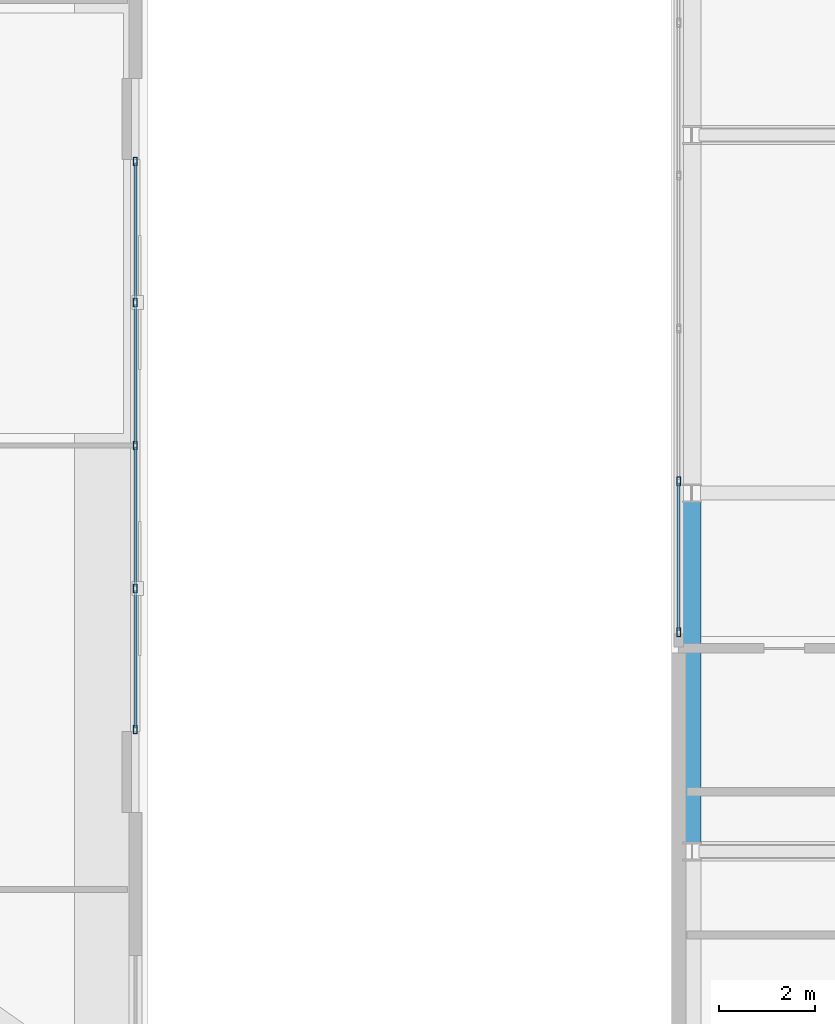
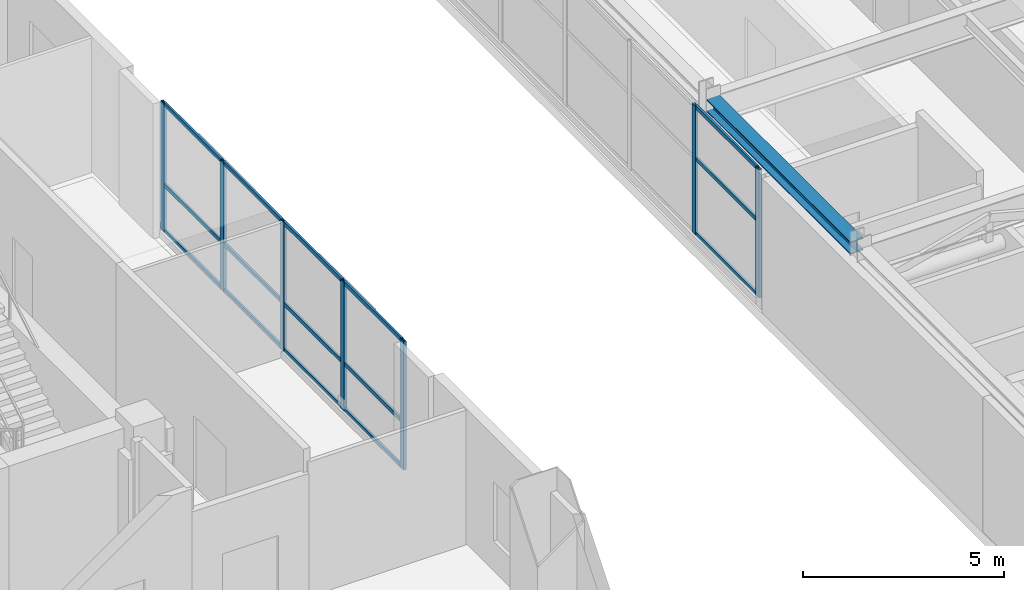
# One storey, part 7 of 29: 22 members, 1 beam, 2 elements without a shape of their own.
"""IFC4 building model written with IfcOpenShell, lengths in metres."""

from ifc_helpers import new_model, si_unit, direction, frame, origin, origin_2d, place, context, subcontext, project, spatial, hollow_rectangle, i_section, extrude, material, layer, layer_set, material_profile, profile_set, type_object, element, aggregate, save


model = new_model("IFC4")

# Units and contexts
model_context = context("Model", 3, precision=1e-05, world=origin(), true_north=direction((0.0, 1.0)))
body_context = subcontext(model_context, "Body", "Model", "MODEL_VIEW")
ifc_project = project(units=[si_unit("LENGTHUNIT", "METRE"), si_unit("AREAUNIT", "SQUARE_METRE"), si_unit("VOLUMEUNIT", "CUBIC_METRE"), si_unit("PLANEANGLEUNIT", "RADIAN"), si_unit("MASSUNIT", "GRAM", prefix="KILO")], contexts=[model_context])

# Site, building, storey
site_placement = place(None, origin())
site = spatial("IfcSite", under=ifc_project, at=site_placement, CompositionType="ELEMENT")
building_placement = place(site_placement, origin())
building = spatial("IfcBuilding", under=site, at=building_placement, Name="Mersakhor Tower and Convention Hall", CompositionType="ELEMENT")
storey_placement = place(building_placement, frame((0.0, 0.0, 9.60009765625)))
storey = spatial("IfcBuildingStorey", under=building, at=storey_placement, Name="L02", CompositionType="ELEMENT", Elevation=9.60009765625)

# Beam
ifc_material_1 = material(Name="Steel S355", Category="steel")
ifc_material_profile_1 = material_profile(ifc_material_1, i_section(OverallWidth=0.374755859375, OverallDepth=0.37451171875, WebThickness=0.0166015625, FlangeThickness=0.027099609375, at=origin_2d()), Name="UC 356x368x202")
ifc_profile_set_1 = profile_set([ifc_material_profile_1], Name="Steel S355")
beam_type = type_object("IfcBeamType", Name="BM-SPD-UC356", PredefinedType="SPANDREL", material=ifc_profile_set_1)
beam_placement = place(storey_placement, frame((55.5, 18.429931640625, 4.29296875), z_axis=(0.0, 1.0, 0.0), x_axis=(-1.0, 0.0, 0.0)))
element("IfcBeam", 1, at=beam_placement, inside=storey, type_object=beam_type, Name="Convention L02 Edge Spandrel W3", PredefinedType="SPANDREL", context=body_context, shape_type="SweptSolid", body=[
    extrude(i_section(OverallWidth=0.374755859375, OverallDepth=0.37451171875, WebThickness=0.0166015625, FlangeThickness=0.027099609375, at=origin_2d()), origin(), (0.0, 0.0, 1.0), 7.14013671875),
])

# Curtain wall, members
ifc_material_2 = material(Name="Dark solar low-E aluminium curtain wall", Category="aluminium")
ifc_layer_1 = layer(ifc_material_2, 0.219970703125)
ifc_layer_set_1 = layer_set([ifc_layer_1], Name="Dark solar low-E aluminium curtain wall")
curtain_wall_type_1 = type_object("IfcCurtainWallType", Name="CW-SYS-07", PredefinedType="USERDEFINED", material=ifc_layer_set_1)
curtain_wall_1_placement = place(storey_placement, origin())
curtain_wall_1 = element("IfcCurtainWall", 2, at=curtain_wall_1_placement, inside=storey, type_object=curtain_wall_type_1, Name="Convention L02 West Curtain Wall", ObjectType="CURTAIN WALL", PredefinedType="USERDEFINED")
ifc_material_3 = material(Name="Anodised aluminium EN AW-6063 T6", Category="aluminium")
ifc_material_profile_2 = material_profile(ifc_material_3, hollow_rectangle(XDim=0.080078125, YDim=0.179931640625, WallThickness=0.008056640625, at=origin_2d()), Name="RHS 180x80x8")
ifc_profile_set_2 = profile_set([ifc_material_profile_2], Name="Anodised aluminium EN AW-6063 T6")
member_type_1 = type_object("IfcMemberType", Name="CWM-180x80", PredefinedType="MULLION", material=ifc_profile_set_2)
member_1_placement = place(storey_placement, frame((55.22509765625, 22.840087890625, 0.199951171875), z_axis=(0.0, 0.0, 1.0), x_axis=(-1.0, 0.0, 0.0)))
member_1 = element("IfcMember", 3, at=member_1_placement, type_object=member_type_1, Name="CW-07 mullion 1", PredefinedType="MULLION", context=body_context, shape_type="SweptSolid", body=[
    extrude(hollow_rectangle(XDim=0.080078125, YDim=0.179931640625, WallThickness=0.008056640625, at=origin_2d()), origin(), (0.0, 0.0, 1.0), 3.89990234375),
])
member_2_placement = place(storey_placement, frame((55.22509765625, 26.0, 0.199951171875), z_axis=(0.0, 0.0, 1.0), x_axis=(-1.0, 0.0, 0.0)))
member_2 = element("IfcMember", 4, at=member_2_placement, type_object=member_type_1, Name="CW-07 mullion 2", PredefinedType="MULLION", context=body_context, shape_type="SweptSolid", body=[
    extrude(hollow_rectangle(XDim=0.080078125, YDim=0.179931640625, WallThickness=0.008056640625, at=origin_2d()), origin(), (0.0, 0.0, 1.0), 3.89990234375),
])

ifc_material_4 = material(Name="Dark solar low-E aluminium curtain wall", Category="aluminium")
ifc_layer_2 = layer(ifc_material_4, 0.18994140625)
ifc_layer_set_2 = layer_set([ifc_layer_2], Name="Dark solar low-E aluminium curtain wall")
curtain_wall_type_2 = type_object("IfcCurtainWallType", Name="CW-SYS-04", PredefinedType="USERDEFINED", material=ifc_layer_set_2)
curtain_wall_2_placement = place(storey_placement, origin())
curtain_wall_2 = element("IfcCurtainWall", 5, at=curtain_wall_2_placement, inside=storey, type_object=curtain_wall_type_2, Name="L02 Dark-Glass Curtain Wall F2-B2", ObjectType="CURTAIN WALL", PredefinedType="USERDEFINED")
member_3_placement = place(storey_placement, frame((43.85009765625, 32.696533203125, 0.199951171875), z_axis=(0.0, 0.0, 1.0), x_axis=(1.0, 0.0, 0.0)))
member_3 = element("IfcMember", 6, at=member_3_placement, type_object=member_type_1, Name="CW-04 mullion 1", PredefinedType="MULLION", context=body_context, shape_type="SweptSolid", body=[
    extrude(hollow_rectangle(XDim=0.080078125, YDim=0.179931640625, WallThickness=0.008056640625, at=origin_2d()), origin(), (0.0, 0.0, 1.0), 3.89990234375),
])
member_4_placement = place(storey_placement, frame((43.85009765625, 29.743408203125, 0.199951171875), z_axis=(0.0, 0.0, 1.0), x_axis=(1.0, 0.0, 0.0)))
member_4 = element("IfcMember", 7, at=member_4_placement, type_object=member_type_1, Name="CW-04 mullion 2", PredefinedType="MULLION", context=body_context, shape_type="SweptSolid", body=[
    extrude(hollow_rectangle(XDim=0.080078125, YDim=0.179931640625, WallThickness=0.008056640625, at=origin_2d()), origin(), (0.0, 0.0, 1.0), 3.89990234375),
])
member_5_placement = place(storey_placement, frame((43.85009765625, 26.75, 0.199951171875), z_axis=(0.0, 0.0, 1.0), x_axis=(1.0, 0.0, 0.0)))
member_5 = element("IfcMember", 8, at=member_5_placement, type_object=member_type_1, Name="CW-04 mullion 3", PredefinedType="MULLION", context=body_context, shape_type="SweptSolid", body=[
    extrude(hollow_rectangle(XDim=0.080078125, YDim=0.179931640625, WallThickness=0.008056640625, at=origin_2d()), origin(), (0.0, 0.0, 1.0), 3.89990234375),
])
member_6_placement = place(storey_placement, frame((43.85009765625, 23.756591796875, 0.199951171875), z_axis=(0.0, 0.0, 1.0), x_axis=(1.0, 0.0, 0.0)))
member_6 = element("IfcMember", 9, at=member_6_placement, type_object=member_type_1, Name="CW-04 mullion 4", PredefinedType="MULLION", context=body_context, shape_type="SweptSolid", body=[
    extrude(hollow_rectangle(XDim=0.080078125, YDim=0.179931640625, WallThickness=0.008056640625, at=origin_2d()), origin(), (0.0, 0.0, 1.0), 3.89990234375),
])
member_7_placement = place(storey_placement, frame((43.85009765625, 20.803466796875, 0.199951171875), z_axis=(0.0, 0.0, 1.0), x_axis=(1.0, 0.0, 0.0)))
member_7 = element("IfcMember", 10, at=member_7_placement, type_object=member_type_1, Name="CW-04 mullion 5", PredefinedType="MULLION", context=body_context, shape_type="SweptSolid", body=[
    extrude(hollow_rectangle(XDim=0.080078125, YDim=0.179931640625, WallThickness=0.008056640625, at=origin_2d()), origin(), (0.0, 0.0, 1.0), 3.89990234375),
])

# Member
ifc_material_5 = material(Name="Anodised aluminium EN AW-6063 T6", Category="aluminium")
ifc_material_profile_3 = material_profile(ifc_material_5, hollow_rectangle(XDim=0.06005859375, YDim=0.1201171875, WallThickness=0.0048828125, at=origin_2d()), Name="RHS 120x60x5")
ifc_profile_set_3 = profile_set([ifc_material_profile_3], Name="Anodised aluminium EN AW-6063 T6")
member_type_2 = type_object("IfcMemberType", Name="CWT-120x60", PredefinedType="USERDEFINED", material=ifc_profile_set_3)
member_8_placement = place(storey_placement, frame((55.22509765625, 22.8798828125, 0.22998046875), z_axis=(0.0, 1.0, 0.0), x_axis=(-1.0, 0.0, 0.0)))
member_8 = element("IfcMember", 11, at=member_8_placement, type_object=member_type_2, Name="CW-07 transom 1.1", ObjectType="TRANSOM", PredefinedType="USERDEFINED", context=body_context, shape_type="SweptSolid", body=[
    extrude(hollow_rectangle(XDim=0.06005859375, YDim=0.1201171875, WallThickness=0.0048828125, at=origin_2d()), origin(), (0.0, 0.0, 1.0), 3.080078125),
])

member_9_placement = place(storey_placement, frame((55.22509765625, 22.8798828125, 2.5), z_axis=(0.0, 1.0, 0.0), x_axis=(-1.0, 0.0, 0.0)))
member_9 = element("IfcMember", 12, at=member_9_placement, type_object=member_type_2, Name="CW-07 transom 1.2", ObjectType="TRANSOM", PredefinedType="USERDEFINED", context=body_context, shape_type="SweptSolid", body=[
    extrude(hollow_rectangle(XDim=0.06005859375, YDim=0.1201171875, WallThickness=0.0048828125, at=origin_2d()), origin(), (0.0, 0.0, 1.0), 3.080078125),
])

member_10_placement = place(storey_placement, frame((55.22509765625, 22.8798828125, 4.06982421875), z_axis=(0.0, 1.0, 0.0), x_axis=(-1.0, 0.0, 0.0)))
member_10 = element("IfcMember", 13, at=member_10_placement, type_object=member_type_2, Name="CW-07 transom 1.3", ObjectType="TRANSOM", PredefinedType="USERDEFINED", context=body_context, shape_type="SweptSolid", body=[
    extrude(hollow_rectangle(XDim=0.06005859375, YDim=0.1201171875, WallThickness=0.0048828125, at=origin_2d()), origin(), (0.0, 0.0, 1.0), 3.080078125),
])

aggregate(curtain_wall_1, [member_1, member_2, member_8, member_9, member_10])

member_11_placement = place(storey_placement, frame((43.85009765625, 32.656494140625, 0.22998046875), z_axis=(0.0, -1.0, 0.0), x_axis=(1.0, 0.0, 0.0)))
member_11 = element("IfcMember", 14, at=member_11_placement, type_object=member_type_2, Name="CW-04 transom 1.1", ObjectType="TRANSOM", PredefinedType="USERDEFINED", context=body_context, shape_type="SweptSolid", body=[
    extrude(hollow_rectangle(XDim=0.06005859375, YDim=0.1201171875, WallThickness=0.0048828125, at=origin_2d()), origin(), (0.0, 0.0, 1.0), 2.873291015625),
])

member_12_placement = place(storey_placement, frame((43.85009765625, 32.656494140625, 1.619873046875), z_axis=(0.0, -1.0, 0.0), x_axis=(1.0, 0.0, 0.0)))
member_12 = element("IfcMember", 15, at=member_12_placement, type_object=member_type_2, Name="CW-04 transom 1.2", ObjectType="TRANSOM", PredefinedType="USERDEFINED", context=body_context, shape_type="SweptSolid", body=[
    extrude(hollow_rectangle(XDim=0.06005859375, YDim=0.1201171875, WallThickness=0.0048828125, at=origin_2d()), origin(), (0.0, 0.0, 1.0), 2.873291015625),
])

member_13_placement = place(storey_placement, frame((43.85009765625, 32.656494140625, 4.06982421875), z_axis=(0.0, -1.0, 0.0), x_axis=(1.0, 0.0, 0.0)))
member_13 = element("IfcMember", 16, at=member_13_placement, type_object=member_type_2, Name="CW-04 transom 1.3", ObjectType="TRANSOM", PredefinedType="USERDEFINED", context=body_context, shape_type="SweptSolid", body=[
    extrude(hollow_rectangle(XDim=0.06005859375, YDim=0.1201171875, WallThickness=0.0048828125, at=origin_2d()), origin(), (0.0, 0.0, 1.0), 2.873291015625),
])

member_14_placement = place(storey_placement, frame((43.85009765625, 29.703369140625, 0.22998046875), z_axis=(0.0, -1.0, 0.0), x_axis=(1.0, 0.0, 0.0)))
member_14 = element("IfcMember", 17, at=member_14_placement, type_object=member_type_2, Name="CW-04 transom 2.1", ObjectType="TRANSOM", PredefinedType="USERDEFINED", context=body_context, shape_type="SweptSolid", body=[
    extrude(hollow_rectangle(XDim=0.06005859375, YDim=0.1201171875, WallThickness=0.0048828125, at=origin_2d()), origin(), (0.0, 0.0, 1.0), 2.913330078125),
])

member_15_placement = place(storey_placement, frame((43.85009765625, 29.703369140625, 1.619873046875), z_axis=(0.0, -1.0, 0.0), x_axis=(1.0, 0.0, 0.0)))
member_15 = element("IfcMember", 18, at=member_15_placement, type_object=member_type_2, Name="CW-04 transom 2.2", ObjectType="TRANSOM", PredefinedType="USERDEFINED", context=body_context, shape_type="SweptSolid", body=[
    extrude(hollow_rectangle(XDim=0.06005859375, YDim=0.1201171875, WallThickness=0.0048828125, at=origin_2d()), origin(), (0.0, 0.0, 1.0), 2.913330078125),
])

member_16_placement = place(storey_placement, frame((43.85009765625, 29.703369140625, 4.06982421875), z_axis=(0.0, -1.0, 0.0), x_axis=(1.0, 0.0, 0.0)))
member_16 = element("IfcMember", 19, at=member_16_placement, type_object=member_type_2, Name="CW-04 transom 2.3", ObjectType="TRANSOM", PredefinedType="USERDEFINED", context=body_context, shape_type="SweptSolid", body=[
    extrude(hollow_rectangle(XDim=0.06005859375, YDim=0.1201171875, WallThickness=0.0048828125, at=origin_2d()), origin(), (0.0, 0.0, 1.0), 2.913330078125),
])

member_17_placement = place(storey_placement, frame((43.85009765625, 26.7099609375, 0.22998046875), z_axis=(0.0, -1.0, 0.0), x_axis=(1.0, 0.0, 0.0)))
member_17 = element("IfcMember", 20, at=member_17_placement, type_object=member_type_2, Name="CW-04 transom 3.1", ObjectType="TRANSOM", PredefinedType="USERDEFINED", context=body_context, shape_type="SweptSolid", body=[
    extrude(hollow_rectangle(XDim=0.06005859375, YDim=0.1201171875, WallThickness=0.0048828125, at=origin_2d()), origin(), (0.0, 0.0, 1.0), 2.913330078125),
])

member_18_placement = place(storey_placement, frame((43.85009765625, 26.7099609375, 1.619873046875), z_axis=(0.0, -1.0, 0.0), x_axis=(1.0, 0.0, 0.0)))
member_18 = element("IfcMember", 21, at=member_18_placement, type_object=member_type_2, Name="CW-04 transom 3.2", ObjectType="TRANSOM", PredefinedType="USERDEFINED", context=body_context, shape_type="SweptSolid", body=[
    extrude(hollow_rectangle(XDim=0.06005859375, YDim=0.1201171875, WallThickness=0.0048828125, at=origin_2d()), origin(), (0.0, 0.0, 1.0), 2.913330078125),
])

member_19_placement = place(storey_placement, frame((43.85009765625, 26.7099609375, 4.06982421875), z_axis=(0.0, -1.0, 0.0), x_axis=(1.0, 0.0, 0.0)))
member_19 = element("IfcMember", 22, at=member_19_placement, type_object=member_type_2, Name="CW-04 transom 3.3", ObjectType="TRANSOM", PredefinedType="USERDEFINED", context=body_context, shape_type="SweptSolid", body=[
    extrude(hollow_rectangle(XDim=0.06005859375, YDim=0.1201171875, WallThickness=0.0048828125, at=origin_2d()), origin(), (0.0, 0.0, 1.0), 2.913330078125),
])

member_20_placement = place(storey_placement, frame((43.85009765625, 23.716796875, 0.22998046875), z_axis=(0.0, -1.0, 0.0), x_axis=(1.0, 0.0, 0.0)))
member_20 = element("IfcMember", 23, at=member_20_placement, type_object=member_type_2, Name="CW-04 transom 4.1", ObjectType="TRANSOM", PredefinedType="USERDEFINED", context=body_context, shape_type="SweptSolid", body=[
    extrude(hollow_rectangle(XDim=0.06005859375, YDim=0.1201171875, WallThickness=0.0048828125, at=origin_2d()), origin(), (0.0, 0.0, 1.0), 2.873291015625),
])

member_21_placement = place(storey_placement, frame((43.85009765625, 23.716796875, 1.619873046875), z_axis=(0.0, -1.0, 0.0), x_axis=(1.0, 0.0, 0.0)))
member_21 = element("IfcMember", 24, at=member_21_placement, type_object=member_type_2, Name="CW-04 transom 4.2", ObjectType="TRANSOM", PredefinedType="USERDEFINED", context=body_context, shape_type="SweptSolid", body=[
    extrude(hollow_rectangle(XDim=0.06005859375, YDim=0.1201171875, WallThickness=0.0048828125, at=origin_2d()), origin(), (0.0, 0.0, 1.0), 2.873291015625),
])

member_22_placement = place(storey_placement, frame((43.85009765625, 23.716796875, 4.06982421875), z_axis=(0.0, -1.0, 0.0), x_axis=(1.0, 0.0, 0.0)))
member_22 = element("IfcMember", 25, at=member_22_placement, type_object=member_type_2, Name="CW-04 transom 4.3", ObjectType="TRANSOM", PredefinedType="USERDEFINED", context=body_context, shape_type="SweptSolid", body=[
    extrude(hollow_rectangle(XDim=0.06005859375, YDim=0.1201171875, WallThickness=0.0048828125, at=origin_2d()), origin(), (0.0, 0.0, 1.0), 2.873291015625),
])

aggregate(curtain_wall_2, [member_3, member_4, member_5, member_6, member_7, member_11, member_12, member_13, member_14, member_15, member_16, member_17, member_18, member_19, member_20, member_21, member_22])

save(model, "model.ifc")
